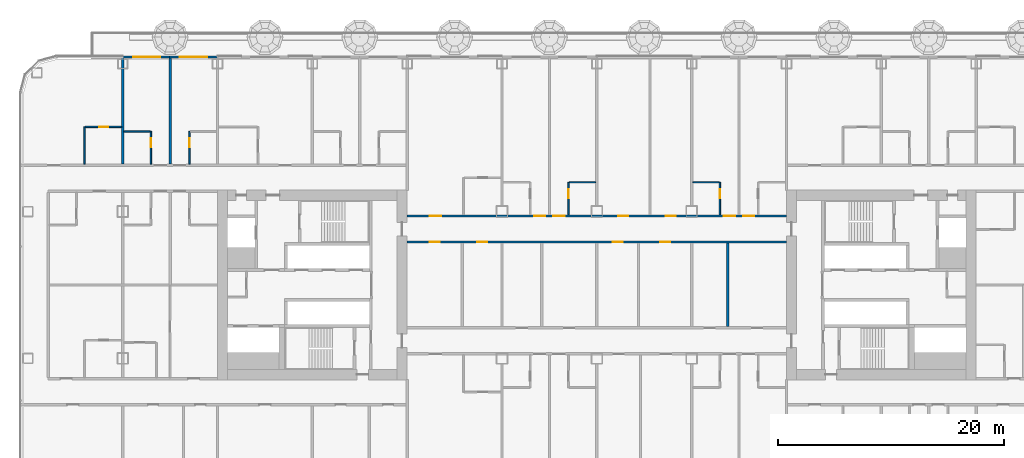
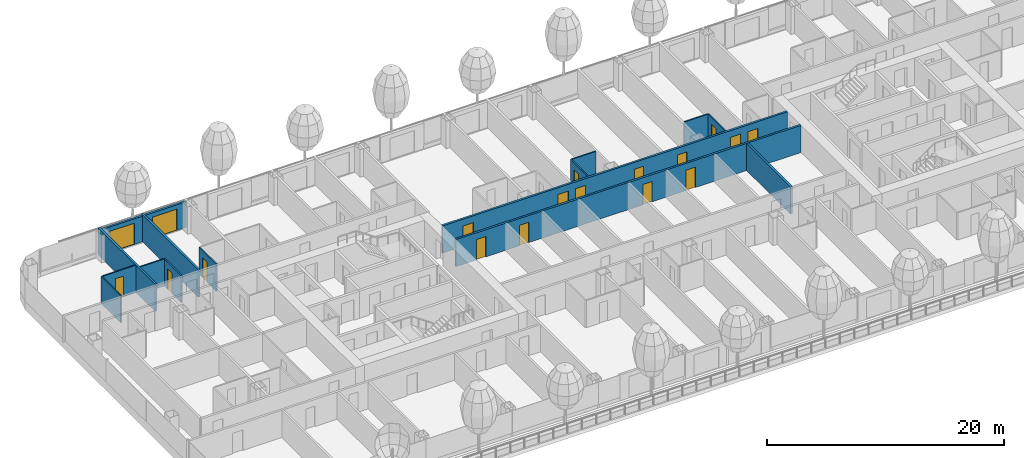
# One storey, part 15 of 36: 18 doors, 16 walls, 18 openings, 1 element without a shape of its own.
"""IFC4 building model written with IfcOpenShell, lengths in metres."""

from ifc_helpers import new_model, si_unit, direction, frame, frame_2d, origin, place, context, subcontext, project, spatial, rectangle, extrude, material, layer, layer_set, type_object, element, fill, aggregate, save


model = new_model("IFC4")

# Units and contexts
model_context = context("Model", 3, precision=1e-05, world=origin(), true_north=direction((0.0, 1.0)))
body_context = subcontext(model_context, "Body", "Model", "MODEL_VIEW")
ifc_project = project(units=[si_unit("LENGTHUNIT", "METRE"), si_unit("AREAUNIT", "SQUARE_METRE"), si_unit("VOLUMEUNIT", "CUBIC_METRE"), si_unit("PLANEANGLEUNIT", "RADIAN"), si_unit("MASSUNIT", "GRAM", prefix="KILO")], contexts=[model_context])

# Site, building, storey
site_placement = place(None, origin())
site = spatial("IfcSite", under=ifc_project, at=site_placement, CompositionType="ELEMENT")
building_placement = place(site_placement, origin())
building = spatial("IfcBuilding", under=site, at=building_placement, Name="Hakoniwa Tower and Hamabe Station Hall", CompositionType="ELEMENT")
storey_placement = place(building_placement, frame((0.0, 0.0, 26.199951171875)))
storey = spatial("IfcBuildingStorey", under=building, at=storey_placement, Name="L06", CompositionType="ELEMENT", Elevation=26.199951171875)

# Walls
ifc_material_1 = material(Name="Gypsum board partition", Category="gypsum")
ifc_layer_1 = layer(ifc_material_1, 0.125)
ifc_layer_set_1 = layer_set([ifc_layer_1], Name="Bathroom Partition 125")
wall_type_1 = type_object("IfcWallType", Name="Bathroom Partition 125", PredefinedType="PARTITIONING", material=ifc_layer_set_1)
for number, where, z_axis, x_axis, name in (
    (1, (-2.4375, 9.10009765625, 0.0), (0.0, 0.0, 1.0), (1.0, 0.0, 0.0), "GW-L06-035"),
    (2, (8.5, 9.10009765625, 0.0), (0.0, 0.0, 1.0), (1.0, 0.0, 0.0), "GW-L06-036"),
    (3, (-41.89990234375, 13.60009765625, 0.0), (0.0, 0.0, 1.0), (1.0, 0.0, 0.0), "GW-L06-041"),
):
    element("IfcWall", number, at=place(storey_placement, frame(where, z_axis=z_axis, x_axis=x_axis)), inside=storey, type_object=wall_type_1, Name=name, PredefinedType="PARTITIONING", context=body_context, shape_type="SweptSolid", body=[
        extrude(rectangle(XDim=2.33740234375, YDim=0.125, at=frame_2d((1.168701171875, 0.0))), origin(), (0.0, 0.0, 1.0), 2.800048828125),
    ])

# Wall, opening, door
wall_1_placement = place(storey_placement, frame((-45.33740234375, 14.0, 0.0), z_axis=(0.0, 0.0, 1.0), x_axis=(1.0, 0.0, 0.0)))
wall_1 = element("IfcWall", 4, at=wall_1_placement, inside=storey, type_object=wall_type_1, Name="GW-L06-049", PredefinedType="PARTITIONING", context=body_context, shape_type="SweptSolid", body=[
    extrude(rectangle(XDim=3.2373046875, YDim=0.125, at=frame_2d((1.61865234375, 0.0))), origin(), (0.0, 0.0, 1.0), 2.800048828125),
])
opening_1_placement = place(wall_1_placement, frame((1.237548828125, 0.0, 0.0)))
opening_1 = element("IfcOpeningElement", 5, at=opening_1_placement, cuts=wall_1, Name="Opening GD-G1C0-65", PredefinedType="OPENING", context=body_context, shape_type="SweptSolid", body=[
    extrude(rectangle(XDim=0.800048828125, YDim=2.10009765625, at=frame_2d((0.39990234375, 1.050048828125))), frame((0.0, 0.072509765625, 0.0), z_axis=(0.0, -1.0, 0.0), x_axis=(1.0, 0.0, 0.0)), (0.0, 0.0, 1.0), 0.14501953125),
])
ifc_material_2 = material(Name="Timber door leaf", Category="wood")
door_type_1 = type_object("IfcDoorType", Name="Bathroom Door 800", OperationType="SINGLE_SWING_LEFT", PredefinedType="DOOR", material=ifc_material_2)
door_1_placement = place(opening_1_placement, origin())
door_1 = element("IfcDoor", 6, at=door_1_placement, inside=storey, type_object=door_type_1, Name="Door GD-G1C0-65", OperationType="SINGLE_SWING_LEFT", OverallHeight=2.10009765625, OverallWidth=0.800048828125, PredefinedType="DOOR", context=body_context, shape_type="SweptSolid", body=[
    extrude(rectangle(XDim=0.800048828125, YDim=2.10009765625, at=frame_2d((0.39990234375, 1.050048828125))), frame((0.0, 0.02490234375, 0.0), z_axis=(0.0, -1.0, 0.0), x_axis=(1.0, 0.0, 0.0)), (0.0, 0.0, 1.0), 0.050048828125),
])
fill(opening_1, door_1)

# Wall
wall_2_placement = place(storey_placement, frame((-45.39990234375, 10.699951171875, 0.0), z_axis=(0.0, 0.0, 1.0), x_axis=(0.0, 1.0, 0.0)))
element("IfcWall", 7, at=wall_2_placement, inside=storey, type_object=wall_type_1, Name="GW-L06-056", PredefinedType="PARTITIONING", context=body_context, shape_type="SweptSolid", body=[
    extrude(rectangle(XDim=3.300048828125, YDim=0.125, at=frame_2d((1.64990234375, 0.0))), origin(), (0.0, 0.0, 1.0), 2.800048828125),
])

# Wall, opening, door
wall_3_placement = place(storey_placement, frame((-39.5, 10.699951171875, 0.0), z_axis=(0.0, 0.0, 1.0), x_axis=(0.0, 1.0, 0.0)))
wall_3 = element("IfcWall", 8, at=wall_3_placement, inside=storey, type_object=wall_type_1, Name="GW-L06-061", PredefinedType="PARTITIONING", context=body_context, shape_type="SweptSolid", body=[
    extrude(rectangle(XDim=2.900146484375, YDim=0.125, at=frame_2d((1.4501953125, 0.0))), origin(), (0.0, 0.0, 1.0), 2.800048828125),
])
opening_2_placement = place(wall_3_placement, frame((1.5, 0.0, 0.0)))
opening_2 = element("IfcOpeningElement", 9, at=opening_2_placement, cuts=wall_3, Name="Opening GD-G1C0-70", PredefinedType="OPENING", context=body_context, shape_type="SweptSolid", body=[
    extrude(rectangle(XDim=0.800048828125, YDim=2.10009765625, at=frame_2d((0.39990234375, 1.050048828125))), frame((0.0, 0.072509765625, 0.0), z_axis=(0.0, -1.0, 0.0), x_axis=(1.0, 0.0, 0.0)), (0.0, 0.0, 1.0), 0.14501953125),
])
door_2_placement = place(opening_2_placement, origin())
door_2 = element("IfcDoor", 10, at=door_2_placement, inside=storey, type_object=door_type_1, Name="Door GD-G1C0-70", OperationType="SINGLE_SWING_LEFT", OverallHeight=2.10009765625, OverallWidth=0.800048828125, PredefinedType="DOOR", context=body_context, shape_type="SweptSolid", body=[
    extrude(rectangle(XDim=0.800048828125, YDim=2.10009765625, at=frame_2d((0.39990234375, 1.050048828125))), frame((0.0, 0.02490234375, 0.0), z_axis=(0.0, -1.0, 0.0), x_axis=(1.0, 0.0, 0.0)), (0.0, 0.0, 1.0), 0.050048828125),
])
fill(opening_2, door_2)

wall_4_placement = place(storey_placement, frame((-36.10009765625, 10.699951171875, 0.0), z_axis=(0.0, 0.0, 1.0), x_axis=(0.0, 1.0, 0.0)))
wall_4 = element("IfcWall", 11, at=wall_4_placement, inside=storey, type_object=wall_type_1, Name="GW-L06-068", PredefinedType="PARTITIONING", context=body_context, shape_type="SweptSolid", body=[
    extrude(rectangle(XDim=2.900146484375, YDim=0.125, at=frame_2d((1.4501953125, 0.0))), origin(), (0.0, 0.0, 1.0), 2.800048828125),
])
opening_3_placement = place(wall_4_placement, frame((1.5, 0.0, 0.0)))
opening_3 = element("IfcOpeningElement", 12, at=opening_3_placement, cuts=wall_4, Name="Opening GD-G1C0-73", PredefinedType="OPENING", context=body_context, shape_type="SweptSolid", body=[
    extrude(rectangle(XDim=0.800048828125, YDim=2.10009765625, at=frame_2d((0.39990234375, 1.050048828125))), frame((0.0, 0.072509765625, 0.0), z_axis=(0.0, -1.0, 0.0), x_axis=(1.0, 0.0, 0.0)), (0.0, 0.0, 1.0), 0.14501953125),
])
door_3_placement = place(opening_3_placement, origin())
door_3 = element("IfcDoor", 13, at=door_3_placement, inside=storey, type_object=door_type_1, Name="Door GD-G1C0-73", OperationType="SINGLE_SWING_RIGHT", OverallHeight=2.10009765625, OverallWidth=0.800048828125, PredefinedType="DOOR", context=body_context, shape_type="SweptSolid", body=[
    extrude(rectangle(XDim=0.800048828125, YDim=2.10009765625, at=frame_2d((0.39990234375, 1.050048828125))), frame((0.0, 0.02490234375, 0.0), z_axis=(0.0, -1.0, 0.0), x_axis=(1.0, 0.0, 0.0)), (0.0, 0.0, 1.0), 0.050048828125),
])
fill(opening_3, door_3)

wall_5_placement = place(storey_placement, frame((-2.5, 6.199951171875, 0.0), z_axis=(0.0, 0.0, 1.0), x_axis=(0.0, 1.0, 0.0)))
wall_5 = element("IfcWall", 14, at=wall_5_placement, inside=storey, type_object=wall_type_1, Name="GW-L06-092", PredefinedType="PARTITIONING", context=body_context, shape_type="SweptSolid", body=[
    extrude(rectangle(XDim=2.900146484375, YDim=0.125, at=frame_2d((1.4501953125, 0.0))), origin(), (0.0, 0.0, 1.0), 2.800048828125),
])
opening_4_placement = place(wall_5_placement, frame((1.5, 0.0, 0.0)))
opening_4 = element("IfcOpeningElement", 15, at=opening_4_placement, cuts=wall_5, Name="Opening GD-G1C0-80", PredefinedType="OPENING", context=body_context, shape_type="SweptSolid", body=[
    extrude(rectangle(XDim=0.800048828125, YDim=2.10009765625, at=frame_2d((0.39990234375, 1.050048828125))), frame((0.0, 0.072509765625, 0.0), z_axis=(0.0, -1.0, 0.0), x_axis=(1.0, 0.0, 0.0)), (0.0, 0.0, 1.0), 0.14501953125),
])
door_4_placement = place(opening_4_placement, origin())
door_4 = element("IfcDoor", 16, at=door_4_placement, inside=storey, type_object=door_type_1, Name="Door GD-G1C0-80", OperationType="SINGLE_SWING_RIGHT", OverallHeight=2.10009765625, OverallWidth=0.800048828125, PredefinedType="DOOR", context=body_context, shape_type="SweptSolid", body=[
    extrude(rectangle(XDim=0.800048828125, YDim=2.10009765625, at=frame_2d((0.39990234375, 1.050048828125))), frame((0.0, 0.02490234375, 0.0), z_axis=(0.0, -1.0, 0.0), x_axis=(1.0, 0.0, 0.0)), (0.0, 0.0, 1.0), 0.050048828125),
])
fill(opening_4, door_4)

wall_6_placement = place(storey_placement, frame((10.89990234375, 6.199951171875, 0.0), z_axis=(0.0, 0.0, 1.0), x_axis=(0.0, 1.0, 0.0)))
wall_6 = element("IfcWall", 17, at=wall_6_placement, inside=storey, type_object=wall_type_1, Name="GW-L06-103", PredefinedType="PARTITIONING", context=body_context, shape_type="SweptSolid", body=[
    extrude(rectangle(XDim=2.900146484375, YDim=0.125, at=frame_2d((1.4501953125, 0.0))), origin(), (0.0, 0.0, 1.0), 2.800048828125),
])
opening_5_placement = place(wall_6_placement, frame((1.5, 0.0, 0.0)))
opening_5 = element("IfcOpeningElement", 18, at=opening_5_placement, cuts=wall_6, Name="Opening GD-G1C0-82", PredefinedType="OPENING", context=body_context, shape_type="SweptSolid", body=[
    extrude(rectangle(XDim=0.800048828125, YDim=2.10009765625, at=frame_2d((0.39990234375, 1.050048828125))), frame((0.0, 0.072509765625, 0.0), z_axis=(0.0, -1.0, 0.0), x_axis=(1.0, 0.0, 0.0)), (0.0, 0.0, 1.0), 0.14501953125),
])
door_5_placement = place(opening_5_placement, origin())
door_5 = element("IfcDoor", 19, at=door_5_placement, inside=storey, type_object=door_type_1, Name="Door GD-G1C0-82", OperationType="SINGLE_SWING_LEFT", OverallHeight=2.10009765625, OverallWidth=0.800048828125, PredefinedType="DOOR", context=body_context, shape_type="SweptSolid", body=[
    extrude(rectangle(XDim=0.800048828125, YDim=2.10009765625, at=frame_2d((0.39990234375, 1.050048828125))), frame((0.0, 0.02490234375, 0.0), z_axis=(0.0, -1.0, 0.0), x_axis=(1.0, 0.0, 0.0)), (0.0, 0.0, 1.0), 0.050048828125),
])
fill(opening_5, door_5)

# Wall, openings, doors
ifc_material_3 = material(Name="Fire-rated gypsum board partition", Category="gypsum")
ifc_layer_2 = layer(ifc_material_3, 0.199951171875)
ifc_layer_set_2 = layer_set([ifc_layer_2], Name="Corridor Wall 200")
wall_type_2 = type_object("IfcWallType", Name="Corridor Wall 200", PredefinedType="PARTITIONING", material=ifc_layer_set_2)
wall_7_placement = place(storey_placement, frame((-16.800048828125, 3.800048828125, 0.0), z_axis=(0.0, 0.0, 1.0), x_axis=(1.0, 0.0, 0.0)))
wall_7 = element("IfcWall", 20, at=wall_7_placement, inside=storey, type_object=wall_type_2, Name="GW-L06-025", PredefinedType="PARTITIONING", context=body_context, shape_type="SweptSolid", body=[
    extrude(rectangle(XDim=33.60009765625, YDim=0.199951171875, at=frame_2d((16.800048828125, 0.0))), origin(), (0.0, 0.0, 1.0), 2.800048828125),
])
opening_6_placement = place(wall_7_placement, frame((1.985107421875, 0.0, 0.0)))
opening_6 = element("IfcOpeningElement", 21, at=opening_6_placement, cuts=wall_7, Name="Opening GD-G1C0-34", PredefinedType="OPENING", context=body_context, shape_type="SweptSolid", body=[
    extrude(rectangle(XDim=0.89990234375, YDim=2.10009765625, at=frame_2d((0.449951171875, 1.050048828125))), frame((0.0, 0.10986328125, 0.0), z_axis=(0.0, -1.0, 0.0), x_axis=(1.0, 0.0, 0.0)), (0.0, 0.0, 1.0), 0.219970703125),
])
opening_7_placement = place(wall_7_placement, frame((6.18505859375, 0.0, 0.0)))
opening_7 = element("IfcOpeningElement", 22, at=opening_7_placement, cuts=wall_7, Name="Opening GD-G1C0-35", PredefinedType="OPENING", context=body_context, shape_type="SweptSolid", body=[
    extrude(rectangle(XDim=0.89990234375, YDim=2.10009765625, at=frame_2d((0.449951171875, 1.050048828125))), frame((0.0, 0.10986328125, 0.0), z_axis=(0.0, -1.0, 0.0), x_axis=(1.0, 0.0, 0.0)), (0.0, 0.0, 1.0), 0.219970703125),
])
opening_8_placement = place(wall_7_placement, frame((18.199951171875, 0.0, 0.0)))
opening_8 = element("IfcOpeningElement", 23, at=opening_8_placement, cuts=wall_7, Name="Opening GD-G1C0-36", PredefinedType="OPENING", context=body_context, shape_type="SweptSolid", body=[
    extrude(rectangle(XDim=0.89990234375, YDim=2.10009765625, at=frame_2d((0.449951171875, 1.050048828125))), frame((0.0, 0.10986328125, 0.0), z_axis=(0.0, -1.0, 0.0), x_axis=(1.0, 0.0, 0.0)), (0.0, 0.0, 1.0), 0.219970703125),
])
opening_9_placement = place(wall_7_placement, frame((22.39990234375, 0.0, 0.0)))
opening_9 = element("IfcOpeningElement", 24, at=opening_9_placement, cuts=wall_7, Name="Opening GD-G1C0-37", PredefinedType="OPENING", context=body_context, shape_type="SweptSolid", body=[
    extrude(rectangle(XDim=0.89990234375, YDim=2.10009765625, at=frame_2d((0.449951171875, 1.050048828125))), frame((0.0, 0.10986328125, 0.0), z_axis=(0.0, -1.0, 0.0), x_axis=(1.0, 0.0, 0.0)), (0.0, 0.0, 1.0), 0.219970703125),
])
ifc_material_4 = material(Name="Timber door leaf", Category="wood")
door_type_2 = type_object("IfcDoorType", Name="Service Door 900", OperationType="SINGLE_SWING_LEFT", PredefinedType="DOOR", material=ifc_material_4)
door_6_placement = place(opening_6_placement, origin())
door_6 = element("IfcDoor", 25, at=door_6_placement, inside=storey, type_object=door_type_2, Name="Door GD-G1C0-34", OperationType="SINGLE_SWING_LEFT", OverallHeight=2.10009765625, OverallWidth=0.89990234375, PredefinedType="DOOR", context=body_context, shape_type="SweptSolid", body=[
    extrude(rectangle(XDim=0.89990234375, YDim=2.10009765625, at=frame_2d((0.449951171875, 1.050048828125))), frame((0.0, 0.02490234375, 0.0), z_axis=(0.0, -1.0, 0.0), x_axis=(1.0, 0.0, 0.0)), (0.0, 0.0, 1.0), 0.050048828125),
])
fill(opening_6, door_6)
door_7_placement = place(opening_7_placement, origin())
door_7 = element("IfcDoor", 26, at=door_7_placement, inside=storey, type_object=door_type_2, Name="Door GD-G1C0-35", OperationType="SINGLE_SWING_RIGHT", OverallHeight=2.10009765625, OverallWidth=0.89990234375, PredefinedType="DOOR", context=body_context, shape_type="SweptSolid", body=[
    extrude(rectangle(XDim=0.89990234375, YDim=2.10009765625, at=frame_2d((0.449951171875, 1.050048828125))), frame((0.0, 0.02490234375, 0.0), z_axis=(0.0, -1.0, 0.0), x_axis=(1.0, 0.0, 0.0)), (0.0, 0.0, 1.0), 0.050048828125),
])
fill(opening_7, door_7)
door_8_placement = place(opening_8_placement, origin())
door_8 = element("IfcDoor", 27, at=door_8_placement, inside=storey, type_object=door_type_2, Name="Door GD-G1C0-36", OperationType="SINGLE_SWING_LEFT", OverallHeight=2.10009765625, OverallWidth=0.89990234375, PredefinedType="DOOR", context=body_context, shape_type="SweptSolid", body=[
    extrude(rectangle(XDim=0.89990234375, YDim=2.10009765625, at=frame_2d((0.449951171875, 1.050048828125))), frame((0.0, 0.02490234375, 0.0), z_axis=(0.0, -1.0, 0.0), x_axis=(1.0, 0.0, 0.0)), (0.0, 0.0, 1.0), 0.050048828125),
])
fill(opening_8, door_8)
door_9_placement = place(opening_9_placement, origin())
door_9 = element("IfcDoor", 28, at=door_9_placement, inside=storey, type_object=door_type_2, Name="Door GD-G1C0-37", OperationType="SINGLE_SWING_RIGHT", OverallHeight=2.10009765625, OverallWidth=0.89990234375, PredefinedType="DOOR", context=body_context, shape_type="SweptSolid", body=[
    extrude(rectangle(XDim=0.89990234375, YDim=2.10009765625, at=frame_2d((0.449951171875, 1.050048828125))), frame((0.0, 0.02490234375, 0.0), z_axis=(0.0, -1.0, 0.0), x_axis=(1.0, 0.0, 0.0)), (0.0, 0.0, 1.0), 0.050048828125),
])
fill(opening_9, door_9)

wall_8_placement = place(storey_placement, frame((-16.800048828125, 6.10009765625, 0.0), z_axis=(0.0, 0.0, 1.0), x_axis=(1.0, 0.0, 0.0)))
wall_8 = element("IfcWall", 29, at=wall_8_placement, inside=storey, type_object=wall_type_2, Name="GW-L06-031", PredefinedType="PARTITIONING", context=body_context, shape_type="SweptSolid", body=[
    extrude(rectangle(XDim=33.60009765625, YDim=0.199951171875, at=frame_2d((16.800048828125, 0.0))), origin(), (0.0, 0.0, 1.0), 2.800048828125),
])
opening_10_placement = place(wall_8_placement, frame((2.0, 0.0, 0.0)))
opening_10 = element("IfcOpeningElement", 30, at=opening_10_placement, cuts=wall_8, Name="Opening GD-G1C0-40", PredefinedType="OPENING", context=body_context, shape_type="SweptSolid", body=[
    extrude(rectangle(XDim=1.0, YDim=2.10009765625, at=frame_2d((0.5, 1.050048828125))), frame((0.0, 0.10986328125, 0.0), z_axis=(0.0, -1.0, 0.0), x_axis=(1.0, 0.0, 0.0)), (0.0, 0.0, 1.0), 0.219970703125),
])
opening_11_placement = place(wall_8_placement, frame((11.25, 0.0, 0.0)))
opening_11 = element("IfcOpeningElement", 31, at=opening_11_placement, cuts=wall_8, Name="Opening GD-G1C0-41", PredefinedType="OPENING", context=body_context, shape_type="SweptSolid", body=[
    extrude(rectangle(XDim=1.0, YDim=2.10009765625, at=frame_2d((0.5, 1.050048828125))), frame((0.0, 0.10986328125, 0.0), z_axis=(0.0, -1.0, 0.0), x_axis=(1.0, 0.0, 0.0)), (0.0, 0.0, 1.0), 0.219970703125),
])
opening_12_placement = place(wall_8_placement, frame((12.949951171875, 0.0, 0.0)))
opening_12 = element("IfcOpeningElement", 32, at=opening_12_placement, cuts=wall_8, Name="Opening GD-G1C0-42", PredefinedType="OPENING", context=body_context, shape_type="SweptSolid", body=[
    extrude(rectangle(XDim=1.0, YDim=2.10009765625, at=frame_2d((0.5, 1.050048828125))), frame((0.0, 0.10986328125, 0.0), z_axis=(0.0, -1.0, 0.0), x_axis=(1.0, 0.0, 0.0)), (0.0, 0.0, 1.0), 0.219970703125),
])
opening_13_placement = place(wall_8_placement, frame((18.699951171875, 0.0, 0.0)))
opening_13 = element("IfcOpeningElement", 33, at=opening_13_placement, cuts=wall_8, Name="Opening GD-G1C0-43", PredefinedType="OPENING", context=body_context, shape_type="SweptSolid", body=[
    extrude(rectangle(XDim=0.89990234375, YDim=2.10009765625, at=frame_2d((0.449951171875, 1.050048828125))), frame((0.0, 0.10986328125, 0.0), z_axis=(0.0, -1.0, 0.0), x_axis=(1.0, 0.0, 0.0)), (0.0, 0.0, 1.0), 0.219970703125),
])
opening_14_placement = place(wall_8_placement, frame((22.89990234375, 0.0, 0.0)))
opening_14 = element("IfcOpeningElement", 34, at=opening_14_placement, cuts=wall_8, Name="Opening GD-G1C0-44", PredefinedType="OPENING", context=body_context, shape_type="SweptSolid", body=[
    extrude(rectangle(XDim=0.89990234375, YDim=2.10009765625, at=frame_2d((0.449951171875, 1.050048828125))), frame((0.0, 0.10986328125, 0.0), z_axis=(0.0, -1.0, 0.0), x_axis=(1.0, 0.0, 0.0)), (0.0, 0.0, 1.0), 0.219970703125),
])
opening_15_placement = place(wall_8_placement, frame((28.050048828125, 0.0, 0.0)))
opening_15 = element("IfcOpeningElement", 35, at=opening_15_placement, cuts=wall_8, Name="Opening GD-G1C0-45", PredefinedType="OPENING", context=body_context, shape_type="SweptSolid", body=[
    extrude(rectangle(XDim=1.0, YDim=2.10009765625, at=frame_2d((0.5, 1.050048828125))), frame((0.0, 0.10986328125, 0.0), z_axis=(0.0, -1.0, 0.0), x_axis=(1.0, 0.0, 0.0)), (0.0, 0.0, 1.0), 0.219970703125),
])
opening_16_placement = place(wall_8_placement, frame((29.75, 0.0, 0.0)))
opening_16 = element("IfcOpeningElement", 36, at=opening_16_placement, cuts=wall_8, Name="Opening GD-G1C0-46", PredefinedType="OPENING", context=body_context, shape_type="SweptSolid", body=[
    extrude(rectangle(XDim=1.0, YDim=2.10009765625, at=frame_2d((0.5, 1.050048828125))), frame((0.0, 0.10986328125, 0.0), z_axis=(0.0, -1.0, 0.0), x_axis=(1.0, 0.0, 0.0)), (0.0, 0.0, 1.0), 0.219970703125),
])
ifc_material_5 = material(Name="Timber door leaf", Category="wood")
door_type_3 = type_object("IfcDoorType", Name="Guest Entrance Door 1000", OperationType="SINGLE_SWING_LEFT", PredefinedType="DOOR", material=ifc_material_5)
door_10_placement = place(opening_10_placement, origin())
door_10 = element("IfcDoor", 37, at=door_10_placement, inside=storey, type_object=door_type_3, Name="Door GD-G1C0-40", OperationType="SINGLE_SWING_LEFT", OverallHeight=2.10009765625, OverallWidth=1.0, PredefinedType="DOOR", context=body_context, shape_type="SweptSolid", body=[
    extrude(rectangle(XDim=1.0, YDim=2.10009765625, at=frame_2d((0.5, 1.050048828125))), frame((0.0, 0.02490234375, 0.0), z_axis=(0.0, -1.0, 0.0), x_axis=(1.0, 0.0, 0.0)), (0.0, 0.0, 1.0), 0.050048828125),
])
fill(opening_10, door_10)
door_11_placement = place(opening_11_placement, origin())
door_11 = element("IfcDoor", 38, at=door_11_placement, inside=storey, type_object=door_type_3, Name="Door GD-G1C0-41", OperationType="SINGLE_SWING_RIGHT", OverallHeight=2.10009765625, OverallWidth=1.0, PredefinedType="DOOR", context=body_context, shape_type="SweptSolid", body=[
    extrude(rectangle(XDim=1.0, YDim=2.10009765625, at=frame_2d((0.5, 1.050048828125))), frame((0.0, 0.02490234375, 0.0), z_axis=(0.0, -1.0, 0.0), x_axis=(1.0, 0.0, 0.0)), (0.0, 0.0, 1.0), 0.050048828125),
])
fill(opening_11, door_11)
door_12_placement = place(opening_12_placement, origin())
door_12 = element("IfcDoor", 39, at=door_12_placement, inside=storey, type_object=door_type_3, Name="Door GD-G1C0-42", OperationType="SINGLE_SWING_LEFT", OverallHeight=2.10009765625, OverallWidth=1.0, PredefinedType="DOOR", context=body_context, shape_type="SweptSolid", body=[
    extrude(rectangle(XDim=1.0, YDim=2.10009765625, at=frame_2d((0.5, 1.050048828125))), frame((0.0, 0.02490234375, 0.0), z_axis=(0.0, -1.0, 0.0), x_axis=(1.0, 0.0, 0.0)), (0.0, 0.0, 1.0), 0.050048828125),
])
fill(opening_12, door_12)
door_13_placement = place(opening_15_placement, origin())
door_13 = element("IfcDoor", 40, at=door_13_placement, inside=storey, type_object=door_type_3, Name="Door GD-G1C0-45", OperationType="SINGLE_SWING_RIGHT", OverallHeight=2.10009765625, OverallWidth=1.0, PredefinedType="DOOR", context=body_context, shape_type="SweptSolid", body=[
    extrude(rectangle(XDim=1.0, YDim=2.10009765625, at=frame_2d((0.5, 1.050048828125))), frame((0.0, 0.02490234375, 0.0), z_axis=(0.0, -1.0, 0.0), x_axis=(1.0, 0.0, 0.0)), (0.0, 0.0, 1.0), 0.050048828125),
])
fill(opening_15, door_13)
door_14_placement = place(opening_16_placement, origin())
door_14 = element("IfcDoor", 41, at=door_14_placement, inside=storey, type_object=door_type_3, Name="Door GD-G1C0-46", OperationType="SINGLE_SWING_LEFT", OverallHeight=2.10009765625, OverallWidth=1.0, PredefinedType="DOOR", context=body_context, shape_type="SweptSolid", body=[
    extrude(rectangle(XDim=1.0, YDim=2.10009765625, at=frame_2d((0.5, 1.050048828125))), frame((0.0, 0.02490234375, 0.0), z_axis=(0.0, -1.0, 0.0), x_axis=(1.0, 0.0, 0.0)), (0.0, 0.0, 1.0), 0.050048828125),
])
fill(opening_16, door_14)
door_15_placement = place(opening_13_placement, origin())
door_15 = element("IfcDoor", 42, at=door_15_placement, inside=storey, type_object=door_type_2, Name="Door GD-G1C0-43", OperationType="SINGLE_SWING_RIGHT", OverallHeight=2.10009765625, OverallWidth=0.89990234375, PredefinedType="DOOR", context=body_context, shape_type="SweptSolid", body=[
    extrude(rectangle(XDim=0.89990234375, YDim=2.10009765625, at=frame_2d((0.449951171875, 1.050048828125))), frame((0.0, 0.02490234375, 0.0), z_axis=(0.0, -1.0, 0.0), x_axis=(1.0, 0.0, 0.0)), (0.0, 0.0, 1.0), 0.050048828125),
])
fill(opening_13, door_15)
door_16_placement = place(opening_14_placement, origin())
door_16 = element("IfcDoor", 43, at=door_16_placement, inside=storey, type_object=door_type_2, Name="Door GD-G1C0-44", OperationType="SINGLE_SWING_RIGHT", OverallHeight=2.10009765625, OverallWidth=0.89990234375, PredefinedType="DOOR", context=body_context, shape_type="SweptSolid", body=[
    extrude(rectangle(XDim=0.89990234375, YDim=2.10009765625, at=frame_2d((0.449951171875, 1.050048828125))), frame((0.0, 0.02490234375, 0.0), z_axis=(0.0, -1.0, 0.0), x_axis=(1.0, 0.0, 0.0)), (0.0, 0.0, 1.0), 0.050048828125),
])
fill(opening_14, door_16)

# Curtain wall, walls, openings, doors
ifc_material_6 = material(Name="Dark low-e laminated glass", Category="glass")
ifc_layer_3 = layer(ifc_material_6, 0.199951171875)
ifc_layer_set_3 = layer_set([ifc_layer_3], Name="CW-1 UNITISED GUEST")
curtain_wall_type = type_object("IfcCurtainWallType", Name="CW-1 UNITISED GUEST", PredefinedType="NOTDEFINED", material=ifc_layer_set_3)
curtain_wall_placement = place(storey_placement, origin())
curtain_wall = element("IfcCurtainWall", 44, at=curtain_wall_placement, inside=storey, type_object=curtain_wall_type, Name="CW-1 curtain wall", PredefinedType="NOTDEFINED")
ifc_material_7 = material(Name="Dark glass-faced aluminium panel", Category="aluminium")
ifc_layer_4 = layer(ifc_material_7, 0.199951171875)
ifc_layer_set_4 = layer_set([ifc_layer_4], Name="DOOR BAY WALL")
wall_type_3 = type_object("IfcWallType", Name="DOOR BAY WALL", PredefinedType="NOTDEFINED", material=ifc_layer_set_4)
wall_9_placement = place(storey_placement, frame((-33.6201171875, 20.199951171875, 0.0), z_axis=(0.0, 0.0, 1.0), x_axis=(-1.0, 0.0, 0.0)))
wall_9 = element("IfcWall", 45, at=wall_9_placement, type_object=wall_type_3, Name="Door bay wall", PredefinedType="NOTDEFINED", context=body_context, shape_type="SweptSolid", body=[
    extrude(rectangle(XDim=4.219970703125, YDim=0.199951171875, at=frame_2d((2.10986328125, 0.0))), origin(), (0.0, 0.0, 1.0), 2.650146484375),
])
opening_17_placement = place(wall_9_placement, frame((0.909912109375, 0.0, 0.0)))
opening_17 = element("IfcOpeningElement", 46, at=opening_17_placement, cuts=wall_9, Name="Opening BD-N03-20", PredefinedType="OPENING", context=body_context, shape_type="SweptSolid", body=[
    extrude(rectangle(XDim=2.39990234375, YDim=2.199951171875, at=frame_2d((1.199951171875, 1.10009765625))), frame((0.0, 0.10986328125, 0.0), z_axis=(0.0, -1.0, 0.0), x_axis=(1.0, 0.0, 0.0)), (0.0, 0.0, 1.0), 0.219970703125),
])
ifc_material_8 = material(Name="Dark low-e laminated glass", Category="glass")
door_type_4 = type_object("IfcDoorType", Name="BALCONY SLIDING DOOR 2400X2200", OperationType="SLIDING_TO_LEFT", PredefinedType="DOOR", material=ifc_material_8)
door_17_placement = place(opening_17_placement, frame((2.39990234375, 0.0, 0.0), z_axis=(0.0, 0.0, 1.0), x_axis=(-1.0, 0.0, 0.0)))
door_17 = element("IfcDoor", 47, at=door_17_placement, inside=storey, type_object=door_type_4, Name="Balcony sliding door", OperationType="SLIDING_TO_LEFT", OverallHeight=2.199951171875, OverallWidth=2.39990234375, PredefinedType="DOOR", context=body_context, shape_type="SweptSolid", body=[
    extrude(rectangle(XDim=2.39990234375, YDim=2.199951171875, at=frame_2d((1.199951171875, 1.10009765625))), frame((0.0, 0.02490234375, 0.0), z_axis=(0.0, -1.0, 0.0), x_axis=(1.0, 0.0, 0.0)), (0.0, 0.0, 1.0), 0.050048828125),
])
fill(opening_17, door_17)
wall_10_placement = place(storey_placement, frame((-37.760009765625, 20.199951171875, 0.0), z_axis=(0.0, 0.0, 1.0), x_axis=(-1.0, 0.0, 0.0)))
wall_10 = element("IfcWall", 48, at=wall_10_placement, type_object=wall_type_3, Name="Door bay wall", PredefinedType="NOTDEFINED", context=body_context, shape_type="SweptSolid", body=[
    extrude(rectangle(XDim=4.219970703125, YDim=0.199951171875, at=frame_2d((2.10986328125, 0.0))), origin(), (0.0, 0.0, 1.0), 2.650146484375),
])
opening_18_placement = place(wall_10_placement, frame((0.909912109375, 0.0, 0.0)))
opening_18 = element("IfcOpeningElement", 49, at=opening_18_placement, cuts=wall_10, Name="Opening BD-N03-19", PredefinedType="OPENING", context=body_context, shape_type="SweptSolid", body=[
    extrude(rectangle(XDim=2.39990234375, YDim=2.199951171875, at=frame_2d((1.199951171875, 1.10009765625))), frame((0.0, 0.10986328125, 0.0), z_axis=(0.0, -1.0, 0.0), x_axis=(1.0, 0.0, 0.0)), (0.0, 0.0, 1.0), 0.219970703125),
])
door_18_placement = place(opening_18_placement, frame((2.39990234375, 0.0, 0.0), z_axis=(0.0, 0.0, 1.0), x_axis=(-1.0, 0.0, 0.0)))
door_18 = element("IfcDoor", 50, at=door_18_placement, inside=storey, type_object=door_type_4, Name="Balcony sliding door", OperationType="SLIDING_TO_LEFT", OverallHeight=2.199951171875, OverallWidth=2.39990234375, PredefinedType="DOOR", context=body_context, shape_type="SweptSolid", body=[
    extrude(rectangle(XDim=2.39990234375, YDim=2.199951171875, at=frame_2d((1.199951171875, 1.10009765625))), frame((0.0, 0.02490234375, 0.0), z_axis=(0.0, -1.0, 0.0), x_axis=(1.0, 0.0, 0.0)), (0.0, 0.0, 1.0), 0.050048828125),
])
fill(opening_18, door_18)
aggregate(curtain_wall, [wall_9, wall_10])

# Walls
ifc_material_9 = material(Name="Fire-rated gypsum board partition", Category="gypsum")
ifc_layer_5 = layer(ifc_material_9, 0.199951171875)
ifc_layer_set_5 = layer_set([ifc_layer_5], Name="Party Wall 200")
wall_type_4 = type_object("IfcWallType", Name="Party Wall 200", PredefinedType="PARTITIONING", material=ifc_layer_set_5)
for number, where, z_axis, x_axis, name in (
    (51, (-42.0, 10.699951171875, 0.0), (0.0, 0.0, 1.0), (0.0, 1.0, 0.0), "GW-L06-059"),
    (52, (-37.800048828125, 10.699951171875, 0.0), (0.0, 0.0, 1.0), (0.0, 1.0, 0.0), "GW-L06-065"),
):
    element("IfcWall", number, at=place(storey_placement, frame(where, z_axis=z_axis, x_axis=x_axis)), inside=storey, type_object=wall_type_4, Name=name, PredefinedType="PARTITIONING", context=body_context, shape_type="SweptSolid", body=[
        extrude(rectangle(XDim=9.60009765625, YDim=0.199951171875, at=frame_2d((4.800048828125, 0.0))), origin(), (0.0, 0.0, 1.0), 2.800048828125),
    ])
wall_11_placement = place(storey_placement, frame((11.590087890625, -3.699951171875, 0.0), z_axis=(0.0, 0.0, 1.0), x_axis=(0.0, 1.0, 0.0)))
element("IfcWall", 53, at=wall_11_placement, inside=storey, type_object=wall_type_4, Name="GW-L06-104", PredefinedType="PARTITIONING", context=body_context, shape_type="SweptSolid", body=[
    extrude(rectangle(XDim=7.39990234375, YDim=0.199951171875, at=frame_2d((3.699951171875, 0.0))), origin(), (0.0, 0.0, 1.0), 2.800048828125),
])

save(model, "model.ifc")
